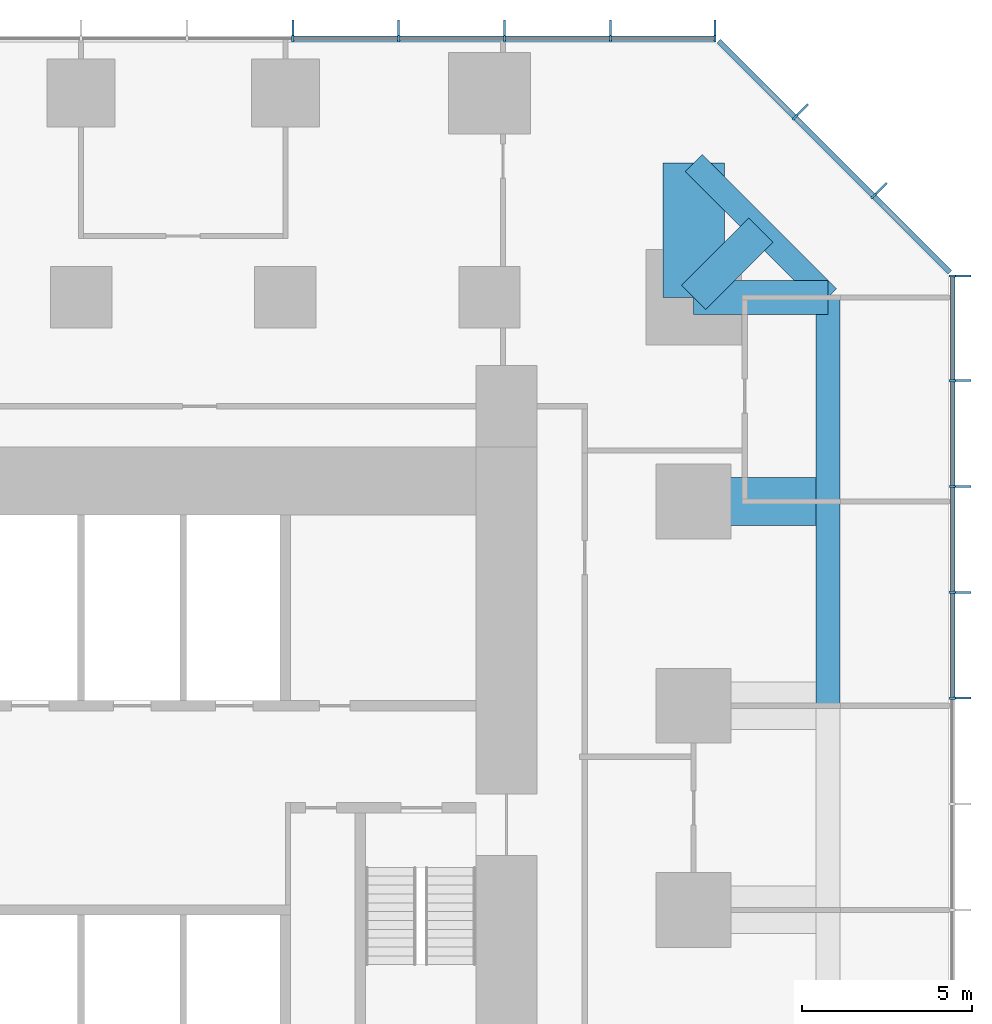
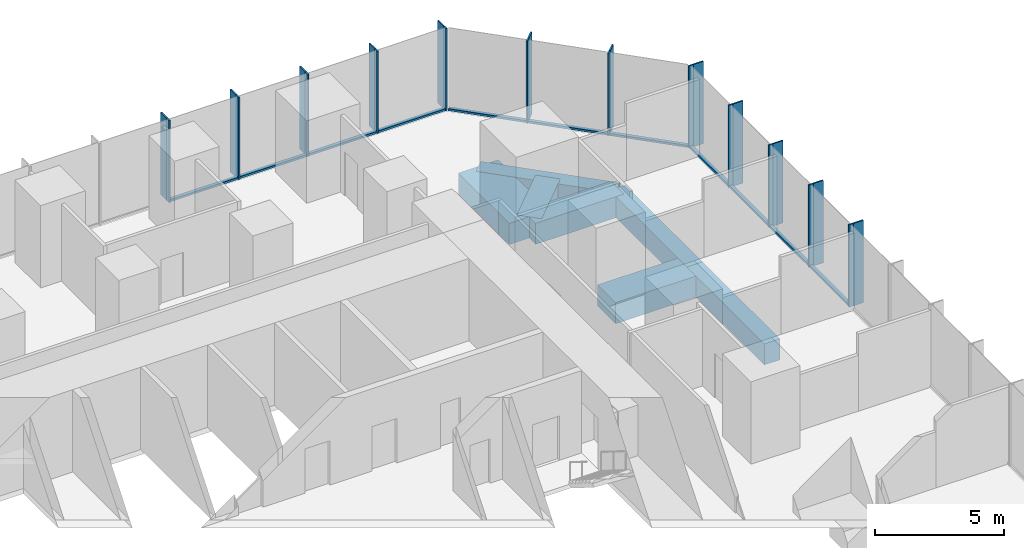
# One storey, part 6 of 12: 35 members, 7 beams, 3 elements without a shape of their own.
"""IFC4 building model written with IfcOpenShell, lengths in metres."""

from ifc_helpers import new_model, si_unit, direction, frame, origin, origin_2d, place, context, subcontext, project, spatial, rectangle, extrude, material, layer, layer_set, material_profile, profile_set, type_object, element, aggregate, save


model = new_model("IFC4")

# Units and contexts
model_context = context("Model", 3, precision=1e-05, world=origin(), true_north=direction((0.0, 1.0)))
body_context = subcontext(model_context, "Body", "Model", "MODEL_VIEW")
ifc_project = project(units=[si_unit("LENGTHUNIT", "METRE"), si_unit("AREAUNIT", "SQUARE_METRE"), si_unit("VOLUMEUNIT", "CUBIC_METRE"), si_unit("PLANEANGLEUNIT", "RADIAN"), si_unit("MASSUNIT", "GRAM", prefix="KILO")], contexts=[model_context])

# Site, building, storey
site_placement = place(None, origin())
site = spatial("IfcSite", under=ifc_project, at=site_placement, CompositionType="ELEMENT")
building_placement = place(site_placement, origin())
building = spatial("IfcBuilding", under=site, at=building_placement, Name="Highveld Stack Headquarters", CompositionType="ELEMENT")
storey_placement = place(building_placement, frame((0.0, 0.0, 45.5)))
storey = spatial("IfcBuildingStorey", under=building, at=storey_placement, Name="L10", CompositionType="ELEMENT", Elevation=45.5)

# Beams
ifc_material_1 = material(Name="Concrete C60/75", Category="concrete")
ifc_material_profile_1 = material_profile(ifc_material_1, rectangle(XDim=1.0, YDim=1.0, at=origin_2d()), Name="RC 1000x1000")
ifc_profile_set_1 = profile_set([ifc_material_profile_1], Name="Concrete C60/75")
beam_type_1 = type_object("IfcBeamType", Name="CANTILEVER RIB RC 1000x1000", PredefinedType="USERDEFINED", material=ifc_profile_set_1)
beam_1_placement = place(storey_placement, frame((24.0, 18.0, -0.75), z_axis=(1.0, 0.0, 0.0), x_axis=(0.0, 1.0, 0.0)))
element("IfcBeam", 1, at=beam_1_placement, inside=storey, type_object=beam_type_1, Name="Cantilever rib 10/H L10", ObjectType="CANTILEVER RIB", PredefinedType="USERDEFINED", context=body_context, shape_type="SweptSolid", body=[
    extrude(rectangle(XDim=1.0, YDim=1.0, at=origin_2d()), origin(), (0.0, 0.0, 1.0), 3.949951171875),
])
beam_2_placement = place(storey_placement, frame((24.0, 18.0, -0.75), z_axis=(0.707106781187, 0.707106781187, 0.0), x_axis=(-0.707106781187, 0.707106781187, 0.0)))
element("IfcBeam", 2, at=beam_2_placement, inside=storey, type_object=beam_type_1, Name="Cantilever rib 10/H L10", ObjectType="CANTILEVER RIB", PredefinedType="USERDEFINED", context=body_context, shape_type="SweptSolid", body=[
    extrude(rectangle(XDim=1.0, YDim=1.0, at=origin_2d()), origin(), (0.0, 0.0, 1.0), 2.793212890625),
])
ifc_material_2 = material(Name="Concrete C60/75", Category="concrete")
ifc_material_profile_2 = material_profile(ifc_material_2, rectangle(XDim=1.39990234375, YDim=1.0, at=origin_2d()), Name="RC 1400x1000")
ifc_profile_set_2 = profile_set([ifc_material_profile_2], Name="Concrete C60/75")
beam_type_2 = type_object("IfcBeamType", Name="CANTILEVER RIB RC 1400x1000", PredefinedType="USERDEFINED", material=ifc_profile_set_2)
beam_3_placement = place(storey_placement, frame((24.0, 12.0, -0.75), z_axis=(1.0, 0.0, 0.0), x_axis=(0.0, 1.0, 0.0)))
element("IfcBeam", 3, at=beam_3_placement, inside=storey, type_object=beam_type_2, Name="Cantilever rib 10/G L10", ObjectType="CANTILEVER RIB", PredefinedType="USERDEFINED", context=body_context, shape_type="SweptSolid", body=[
    extrude(rectangle(XDim=1.39990234375, YDim=1.0, at=origin_2d()), origin(), (0.0, 0.0, 1.0), 3.949951171875),
])
ifc_material_3 = material(Name="Concrete C60/75", Category="concrete")
ifc_material_profile_3 = material_profile(ifc_material_3, rectangle(XDim=1.800048828125, YDim=1.0, at=origin_2d()), Name="RC 1800x1000")
ifc_profile_set_3 = profile_set([ifc_material_profile_3], Name="Concrete C60/75")
beam_type_3 = type_object("IfcBeamType", Name="CANTILEVER RIB RC 1800x1000", PredefinedType="USERDEFINED", material=ifc_profile_set_3)
beam_4_placement = place(storey_placement, frame((24.0, 18.0, -0.75), z_axis=(0.0, 1.0, 0.0), x_axis=(-1.0, 0.0, 0.0)))
element("IfcBeam", 4, at=beam_4_placement, inside=storey, type_object=beam_type_3, Name="Cantilever rib 10/H L10", ObjectType="CANTILEVER RIB", PredefinedType="USERDEFINED", context=body_context, shape_type="SweptSolid", body=[
    extrude(rectangle(XDim=1.800048828125, YDim=1.0, at=origin_2d()), origin(), (0.0, 0.0, 1.0), 3.949951171875),
])

# Curtain wall, members
ifc_material_4 = material(Name="Aluminium bronze anodised", Category="aluminium")
ifc_layer_1 = layer(ifc_material_4, 0.199951171875)
ifc_layer_set_1 = layer_set([ifc_layer_1], Name="Aluminium bronze anodised")
curtain_wall_type_1 = type_object("IfcCurtainWallType", Name="CW1 TOWER UNITISED CURTAIN WALL", PredefinedType="NOTDEFINED", material=ifc_layer_set_1)
curtain_wall_1_placement = place(storey_placement, origin())
curtain_wall_1 = element("IfcCurtainWall", 5, at=curtain_wall_1_placement, inside=storey, type_object=curtain_wall_type_1, Name="Curtain wall CW1 L10 E", PredefinedType="NOTDEFINED")
ifc_material_5 = material(Name="Aluminium bronze anodised", Category="aluminium")
ifc_material_profile_4 = material_profile(ifc_material_5, rectangle(XDim=0.449951171875, YDim=0.06005859375, at=origin_2d()), Name="FIN 450x60")
ifc_profile_set_4 = profile_set([ifc_material_profile_4], Name="Aluminium bronze anodised")
member_type_1 = type_object("IfcMemberType", Name="CW1 BRONZE FIN 450x60", PredefinedType="USERDEFINED", material=ifc_profile_set_4)
member_1_placement = place(storey_placement, frame((31.925048828125, 6.220947265625, 0.0), z_axis=(0.0, 0.0, 1.0), x_axis=(-1.0, 0.0, 0.0)))
member_1 = element("IfcMember", 6, at=member_1_placement, type_object=member_type_1, Name="CW1 fin L10 9", ObjectType="FIN", PredefinedType="USERDEFINED", context=body_context, shape_type="SweptSolid", body=[
    extrude(rectangle(XDim=0.449951171875, YDim=0.06005859375, at=origin_2d()), origin(), (0.0, 0.0, 1.0), 3.89990234375),
])
member_2_placement = place(storey_placement, frame((31.925048828125, 9.331298828125, 0.0), z_axis=(0.0, 0.0, 1.0), x_axis=(-1.0, 0.0, 0.0)))
member_2 = element("IfcMember", 7, at=member_2_placement, type_object=member_type_1, Name="CW1 fin L10 10", ObjectType="FIN", PredefinedType="USERDEFINED", context=body_context, shape_type="SweptSolid", body=[
    extrude(rectangle(XDim=0.449951171875, YDim=0.06005859375, at=origin_2d()), origin(), (0.0, 0.0, 1.0), 3.89990234375),
])
member_3_placement = place(storey_placement, frame((31.925048828125, 12.44189453125, 0.0), z_axis=(0.0, 0.0, 1.0), x_axis=(-1.0, 0.0, 0.0)))
member_3 = element("IfcMember", 8, at=member_3_placement, type_object=member_type_1, Name="CW1 fin L10 11", ObjectType="FIN", PredefinedType="USERDEFINED", context=body_context, shape_type="SweptSolid", body=[
    extrude(rectangle(XDim=0.449951171875, YDim=0.06005859375, at=origin_2d()), origin(), (0.0, 0.0, 1.0), 3.89990234375),
])
member_4_placement = place(storey_placement, frame((31.925048828125, 15.55224609375, 0.0), z_axis=(0.0, 0.0, 1.0), x_axis=(-1.0, 0.0, 0.0)))
member_4 = element("IfcMember", 9, at=member_4_placement, type_object=member_type_1, Name="CW1 fin L10 12", ObjectType="FIN", PredefinedType="USERDEFINED", context=body_context, shape_type="SweptSolid", body=[
    extrude(rectangle(XDim=0.449951171875, YDim=0.06005859375, at=origin_2d()), origin(), (0.0, 0.0, 1.0), 3.89990234375),
])
member_5_placement = place(storey_placement, frame((31.925048828125, 18.630126953125, 0.0), z_axis=(0.0, 0.0, 1.0), x_axis=(-1.0, 0.0, 0.0)))
member_5 = element("IfcMember", 10, at=member_5_placement, type_object=member_type_1, Name="CW1 fin L10 13", ObjectType="FIN", PredefinedType="USERDEFINED", context=body_context, shape_type="SweptSolid", body=[
    extrude(rectangle(XDim=0.449951171875, YDim=0.06005859375, at=origin_2d()), origin(), (0.0, 0.0, 1.0), 3.89990234375),
])

curtain_wall_2_placement = place(storey_placement, origin())
curtain_wall_2 = element("IfcCurtainWall", 11, at=curtain_wall_2_placement, inside=storey, type_object=curtain_wall_type_1, Name="Curtain wall CW1 L10 N", PredefinedType="NOTDEFINED")
member_6_placement = place(storey_placement, frame((24.630126953125, 25.925048828125, 0.0), z_axis=(0.0, 0.0, 1.0), x_axis=(0.0, -1.0, 0.0)))
member_6 = element("IfcMember", 12, at=member_6_placement, type_object=member_type_1, Name="CW1 fin L10 1", ObjectType="FIN", PredefinedType="USERDEFINED", context=body_context, shape_type="SweptSolid", body=[
    extrude(rectangle(XDim=0.449951171875, YDim=0.06005859375, at=origin_2d()), origin(), (0.0, 0.0, 1.0), 3.89990234375),
])
member_7_placement = place(storey_placement, frame((21.55224609375, 25.925048828125, 0.0), z_axis=(0.0, 0.0, 1.0), x_axis=(0.0, -1.0, 0.0)))
member_7 = element("IfcMember", 13, at=member_7_placement, type_object=member_type_1, Name="CW1 fin L10 2", ObjectType="FIN", PredefinedType="USERDEFINED", context=body_context, shape_type="SweptSolid", body=[
    extrude(rectangle(XDim=0.449951171875, YDim=0.06005859375, at=origin_2d()), origin(), (0.0, 0.0, 1.0), 3.89990234375),
])
member_8_placement = place(storey_placement, frame((18.44189453125, 25.925048828125, 0.0), z_axis=(0.0, 0.0, 1.0), x_axis=(0.0, -1.0, 0.0)))
member_8 = element("IfcMember", 14, at=member_8_placement, type_object=member_type_1, Name="CW1 fin L10 3", ObjectType="FIN", PredefinedType="USERDEFINED", context=body_context, shape_type="SweptSolid", body=[
    extrude(rectangle(XDim=0.449951171875, YDim=0.06005859375, at=origin_2d()), origin(), (0.0, 0.0, 1.0), 3.89990234375),
])
member_9_placement = place(storey_placement, frame((15.331298828125, 25.925048828125, 0.0), z_axis=(0.0, 0.0, 1.0), x_axis=(0.0, -1.0, 0.0)))
member_9 = element("IfcMember", 15, at=member_9_placement, type_object=member_type_1, Name="CW1 fin L10 4", ObjectType="FIN", PredefinedType="USERDEFINED", context=body_context, shape_type="SweptSolid", body=[
    extrude(rectangle(XDim=0.449951171875, YDim=0.06005859375, at=origin_2d()), origin(), (0.0, 0.0, 1.0), 3.89990234375),
])
member_10_placement = place(storey_placement, frame((12.220947265625, 25.925048828125, 0.0), z_axis=(0.0, 0.0, 1.0), x_axis=(0.0, -1.0, 0.0)))
member_10 = element("IfcMember", 16, at=member_10_placement, type_object=member_type_1, Name="CW1 fin L10 5", ObjectType="FIN", PredefinedType="USERDEFINED", context=body_context, shape_type="SweptSolid", body=[
    extrude(rectangle(XDim=0.449951171875, YDim=0.06005859375, at=origin_2d()), origin(), (0.0, 0.0, 1.0), 3.89990234375),
])

# Member
ifc_material_6 = material(Name="Aluminium bronze anodised", Category="aluminium")
ifc_material_profile_5 = material_profile(ifc_material_6, rectangle(XDim=0.199951171875, YDim=0.06494140625, at=origin_2d()), Name="CW1 MULLION 65x200")
ifc_profile_set_5 = profile_set([ifc_material_profile_5], Name="Aluminium bronze anodised")
member_type_2 = type_object("IfcMemberType", Name="CW1 MULLION 65x200", PredefinedType="MULLION", material=ifc_profile_set_5)
member_11_placement = place(storey_placement, frame((31.60009765625, 6.220947265625, 0.0), z_axis=(0.0, 0.0, 1.0), x_axis=(-1.0, 0.0, 0.0)))
member_11 = element("IfcMember", 17, at=member_11_placement, type_object=member_type_2, Name="CW1 mullion L10 9", PredefinedType="MULLION", context=body_context, shape_type="SweptSolid", body=[
    extrude(rectangle(XDim=0.199951171875, YDim=0.06494140625, at=origin_2d()), origin(), (0.0, 0.0, 1.0), 3.89990234375),
])

member_12_placement = place(storey_placement, frame((31.60009765625, 9.331298828125, 0.0), z_axis=(0.0, 0.0, 1.0), x_axis=(-1.0, 0.0, 0.0)))
member_12 = element("IfcMember", 18, at=member_12_placement, type_object=member_type_2, Name="CW1 mullion L10 10", PredefinedType="MULLION", context=body_context, shape_type="SweptSolid", body=[
    extrude(rectangle(XDim=0.199951171875, YDim=0.06494140625, at=origin_2d()), origin(), (0.0, 0.0, 1.0), 3.89990234375),
])

member_13_placement = place(storey_placement, frame((31.60009765625, 12.44189453125, 0.0), z_axis=(0.0, 0.0, 1.0), x_axis=(-1.0, 0.0, 0.0)))
member_13 = element("IfcMember", 19, at=member_13_placement, type_object=member_type_2, Name="CW1 mullion L10 11", PredefinedType="MULLION", context=body_context, shape_type="SweptSolid", body=[
    extrude(rectangle(XDim=0.199951171875, YDim=0.06494140625, at=origin_2d()), origin(), (0.0, 0.0, 1.0), 3.89990234375),
])

member_14_placement = place(storey_placement, frame((31.60009765625, 15.55224609375, 0.0), z_axis=(0.0, 0.0, 1.0), x_axis=(-1.0, 0.0, 0.0)))
member_14 = element("IfcMember", 20, at=member_14_placement, type_object=member_type_2, Name="CW1 mullion L10 12", PredefinedType="MULLION", context=body_context, shape_type="SweptSolid", body=[
    extrude(rectangle(XDim=0.199951171875, YDim=0.06494140625, at=origin_2d()), origin(), (0.0, 0.0, 1.0), 3.89990234375),
])

member_15_placement = place(storey_placement, frame((31.60009765625, 18.630126953125, 0.0), z_axis=(0.0, 0.0, 1.0), x_axis=(-1.0, 0.0, 0.0)))
member_15 = element("IfcMember", 21, at=member_15_placement, type_object=member_type_2, Name="CW1 mullion L10 13", PredefinedType="MULLION", context=body_context, shape_type="SweptSolid", body=[
    extrude(rectangle(XDim=0.199951171875, YDim=0.06494140625, at=origin_2d()), origin(), (0.0, 0.0, 1.0), 3.89990234375),
])

member_16_placement = place(storey_placement, frame((24.630126953125, 25.60009765625, 0.0), z_axis=(0.0, 0.0, 1.0), x_axis=(0.0, -1.0, 0.0)))
member_16 = element("IfcMember", 22, at=member_16_placement, type_object=member_type_2, Name="CW1 mullion L10 1", PredefinedType="MULLION", context=body_context, shape_type="SweptSolid", body=[
    extrude(rectangle(XDim=0.199951171875, YDim=0.06494140625, at=origin_2d()), origin(), (0.0, 0.0, 1.0), 3.89990234375),
])

member_17_placement = place(storey_placement, frame((21.55224609375, 25.60009765625, 0.0), z_axis=(0.0, 0.0, 1.0), x_axis=(0.0, -1.0, 0.0)))
member_17 = element("IfcMember", 23, at=member_17_placement, type_object=member_type_2, Name="CW1 mullion L10 2", PredefinedType="MULLION", context=body_context, shape_type="SweptSolid", body=[
    extrude(rectangle(XDim=0.199951171875, YDim=0.06494140625, at=origin_2d()), origin(), (0.0, 0.0, 1.0), 3.89990234375),
])

member_18_placement = place(storey_placement, frame((18.44189453125, 25.60009765625, 0.0), z_axis=(0.0, 0.0, 1.0), x_axis=(0.0, -1.0, 0.0)))
member_18 = element("IfcMember", 24, at=member_18_placement, type_object=member_type_2, Name="CW1 mullion L10 3", PredefinedType="MULLION", context=body_context, shape_type="SweptSolid", body=[
    extrude(rectangle(XDim=0.199951171875, YDim=0.06494140625, at=origin_2d()), origin(), (0.0, 0.0, 1.0), 3.89990234375),
])

member_19_placement = place(storey_placement, frame((15.331298828125, 25.60009765625, 0.0), z_axis=(0.0, 0.0, 1.0), x_axis=(0.0, -1.0, 0.0)))
member_19 = element("IfcMember", 25, at=member_19_placement, type_object=member_type_2, Name="CW1 mullion L10 4", PredefinedType="MULLION", context=body_context, shape_type="SweptSolid", body=[
    extrude(rectangle(XDim=0.199951171875, YDim=0.06494140625, at=origin_2d()), origin(), (0.0, 0.0, 1.0), 3.89990234375),
])

member_20_placement = place(storey_placement, frame((12.220947265625, 25.60009765625, 0.0), z_axis=(0.0, 0.0, 1.0), x_axis=(0.0, -1.0, 0.0)))
member_20 = element("IfcMember", 26, at=member_20_placement, type_object=member_type_2, Name="CW1 mullion L10 5", PredefinedType="MULLION", context=body_context, shape_type="SweptSolid", body=[
    extrude(rectangle(XDim=0.199951171875, YDim=0.06494140625, at=origin_2d()), origin(), (0.0, 0.0, 1.0), 3.89990234375),
])

ifc_material_7 = material(Name="Aluminium bronze anodised", Category="aluminium")
ifc_material_profile_6 = material_profile(ifc_material_7, rectangle(XDim=0.14990234375, YDim=0.10009765625, at=origin_2d()), Name="CW1 TRANSOM 150x100")
ifc_profile_set_6 = profile_set([ifc_material_profile_6], Name="Aluminium bronze anodised")
member_type_3 = type_object("IfcMemberType", Name="CW1 STACK TRANSOM 150x100", PredefinedType="USERDEFINED", material=ifc_profile_set_6)
member_21_placement = place(storey_placement, frame((31.60009765625, 6.25341796875, 0.050048828125), z_axis=(0.0, 1.0, 0.0), x_axis=(-1.0, 0.0, 0.0)))
member_21 = element("IfcMember", 27, at=member_21_placement, type_object=member_type_3, Name="CW1 transom L10 9.1", ObjectType="TRANSOM", PredefinedType="USERDEFINED", context=body_context, shape_type="SweptSolid", body=[
    extrude(rectangle(XDim=0.14990234375, YDim=0.10009765625, at=origin_2d()), origin(), (0.0, 0.0, 1.0), 3.04541015625),
])

member_22_placement = place(storey_placement, frame((31.60009765625, 9.36376953125, 0.050048828125), z_axis=(0.0, 1.0, 0.0), x_axis=(-1.0, 0.0, 0.0)))
member_22 = element("IfcMember", 28, at=member_22_placement, type_object=member_type_3, Name="CW1 transom L10 10.1", ObjectType="TRANSOM", PredefinedType="USERDEFINED", context=body_context, shape_type="SweptSolid", body=[
    extrude(rectangle(XDim=0.14990234375, YDim=0.10009765625, at=origin_2d()), origin(), (0.0, 0.0, 1.0), 3.04541015625),
])

member_23_placement = place(storey_placement, frame((31.60009765625, 12.474365234375, 0.050048828125), z_axis=(0.0, 1.0, 0.0), x_axis=(-1.0, 0.0, 0.0)))
member_23 = element("IfcMember", 29, at=member_23_placement, type_object=member_type_3, Name="CW1 transom L10 11.1", ObjectType="TRANSOM", PredefinedType="USERDEFINED", context=body_context, shape_type="SweptSolid", body=[
    extrude(rectangle(XDim=0.14990234375, YDim=0.10009765625, at=origin_2d()), origin(), (0.0, 0.0, 1.0), 3.04541015625),
])

member_24_placement = place(storey_placement, frame((31.60009765625, 15.584716796875, 0.050048828125), z_axis=(0.0, 1.0, 0.0), x_axis=(-1.0, 0.0, 0.0)))
member_24 = element("IfcMember", 30, at=member_24_placement, type_object=member_type_3, Name="CW1 transom L10 12.1", ObjectType="TRANSOM", PredefinedType="USERDEFINED", context=body_context, shape_type="SweptSolid", body=[
    extrude(rectangle(XDim=0.14990234375, YDim=0.10009765625, at=origin_2d()), origin(), (0.0, 0.0, 1.0), 3.012939453125),
])

aggregate(curtain_wall_1, [member_11, member_1, member_12, member_2, member_13, member_3, member_14, member_4, member_15, member_5, member_21, member_22, member_23, member_24])

member_25_placement = place(storey_placement, frame((24.59765625, 25.60009765625, 0.050048828125), z_axis=(-1.0, 0.0, 0.0), x_axis=(0.0, -1.0, 0.0)))
member_25 = element("IfcMember", 31, at=member_25_placement, type_object=member_type_3, Name="CW1 transom L10 1.1", ObjectType="TRANSOM", PredefinedType="USERDEFINED", context=body_context, shape_type="SweptSolid", body=[
    extrude(rectangle(XDim=0.14990234375, YDim=0.10009765625, at=origin_2d()), origin(), (0.0, 0.0, 1.0), 3.012939453125),
])

member_26_placement = place(storey_placement, frame((21.519775390625, 25.60009765625, 0.050048828125), z_axis=(-1.0, 0.0, 0.0), x_axis=(0.0, -1.0, 0.0)))
member_26 = element("IfcMember", 32, at=member_26_placement, type_object=member_type_3, Name="CW1 transom L10 2.1", ObjectType="TRANSOM", PredefinedType="USERDEFINED", context=body_context, shape_type="SweptSolid", body=[
    extrude(rectangle(XDim=0.14990234375, YDim=0.10009765625, at=origin_2d()), origin(), (0.0, 0.0, 1.0), 3.04541015625),
])

member_27_placement = place(storey_placement, frame((18.4091796875, 25.60009765625, 0.050048828125), z_axis=(-1.0, 0.0, 0.0), x_axis=(0.0, -1.0, 0.0)))
member_27 = element("IfcMember", 33, at=member_27_placement, type_object=member_type_3, Name="CW1 transom L10 3.1", ObjectType="TRANSOM", PredefinedType="USERDEFINED", context=body_context, shape_type="SweptSolid", body=[
    extrude(rectangle(XDim=0.14990234375, YDim=0.10009765625, at=origin_2d()), origin(), (0.0, 0.0, 1.0), 3.045166015625),
])

member_28_placement = place(storey_placement, frame((15.298828125, 25.60009765625, 0.050048828125), z_axis=(-1.0, 0.0, 0.0), x_axis=(0.0, -1.0, 0.0)))
member_28 = element("IfcMember", 34, at=member_28_placement, type_object=member_type_3, Name="CW1 transom L10 4.1", ObjectType="TRANSOM", PredefinedType="USERDEFINED", context=body_context, shape_type="SweptSolid", body=[
    extrude(rectangle(XDim=0.14990234375, YDim=0.10009765625, at=origin_2d()), origin(), (0.0, 0.0, 1.0), 3.04541015625),
])

aggregate(curtain_wall_2, [member_16, member_6, member_17, member_7, member_18, member_8, member_19, member_9, member_20, member_10, member_25, member_26, member_27, member_28])

# Curtain wall, members
ifc_material_8 = material(Name="Aluminium bronze anodised", Category="aluminium")
ifc_layer_2 = layer(ifc_material_8, 0.199951171875)
ifc_layer_set_2 = layer_set([ifc_layer_2], Name="Aluminium bronze anodised")
curtain_wall_type_2 = type_object("IfcCurtainWallType", Name="CW2 TOWER CHAMFER UNITISED CURTAIN WALL", PredefinedType="NOTDEFINED", material=ifc_layer_set_2)
curtain_wall_3_placement = place(storey_placement, origin())
curtain_wall_3 = element("IfcCurtainWall", 35, at=curtain_wall_3_placement, inside=storey, type_object=curtain_wall_type_2, Name="Curtain wall CW2 L10 NE", PredefinedType="NOTDEFINED")
ifc_material_9 = material(Name="Aluminium bronze anodised", Category="aluminium")
ifc_material_profile_7 = material_profile(ifc_material_9, rectangle(XDim=0.449951171875, YDim=0.06005859375, at=origin_2d()), Name="FIN 450x60")
ifc_profile_set_7 = profile_set([ifc_material_profile_7], Name="Aluminium bronze anodised")
member_type_4 = type_object("IfcMemberType", Name="CW2 BRONZE FIN 450x60", PredefinedType="USERDEFINED", material=ifc_profile_set_7)
member_29_placement = place(storey_placement, frame((29.517333984375, 21.204833984375, 0.0), z_axis=(0.0, 0.0, 1.0), x_axis=(-0.707106781187, -0.707106781187, 0.0)))
member_29 = element("IfcMember", 36, at=member_29_placement, type_object=member_type_4, Name="CW2 fin L10 1", ObjectType="FIN", PredefinedType="USERDEFINED", context=body_context, shape_type="SweptSolid", body=[
    extrude(rectangle(XDim=0.449951171875, YDim=0.06005859375, at=origin_2d()), origin(), (0.0, 0.0, 1.0), 3.89990234375),
])
member_30_placement = place(storey_placement, frame((27.204833984375, 23.517333984375, 0.0), z_axis=(0.0, 0.0, 1.0), x_axis=(-0.707106781187, -0.707106781187, 0.0)))
member_30 = element("IfcMember", 37, at=member_30_placement, type_object=member_type_4, Name="CW2 fin L10 2", ObjectType="FIN", PredefinedType="USERDEFINED", context=body_context, shape_type="SweptSolid", body=[
    extrude(rectangle(XDim=0.449951171875, YDim=0.06005859375, at=origin_2d()), origin(), (0.0, 0.0, 1.0), 3.89990234375),
])
ifc_material_10 = material(Name="Aluminium bronze anodised", Category="aluminium")
ifc_material_profile_8 = material_profile(ifc_material_10, rectangle(XDim=0.199951171875, YDim=0.06494140625, at=origin_2d()), Name="CW2 MULLION 65x200")
ifc_profile_set_8 = profile_set([ifc_material_profile_8], Name="Aluminium bronze anodised")
member_type_5 = type_object("IfcMemberType", Name="CW2 MULLION 65x200", PredefinedType="MULLION", material=ifc_profile_set_8)
member_31_placement = place(storey_placement, frame((29.28759765625, 20.97509765625, 0.0), z_axis=(0.0, 0.0, 1.0), x_axis=(-0.707106781187, -0.707106781187, 0.0)))
member_31 = element("IfcMember", 38, at=member_31_placement, type_object=member_type_5, Name="CW2 mullion L10 1", PredefinedType="MULLION", context=body_context, shape_type="SweptSolid", body=[
    extrude(rectangle(XDim=0.199951171875, YDim=0.06494140625, at=origin_2d()), origin(), (0.0, 0.0, 1.0), 3.89990234375),
])
member_32_placement = place(storey_placement, frame((26.97509765625, 23.28759765625, 0.0), z_axis=(0.0, 0.0, 1.0), x_axis=(-0.707106781187, -0.707106781187, 0.0)))
member_32 = element("IfcMember", 39, at=member_32_placement, type_object=member_type_5, Name="CW2 mullion L10 2", PredefinedType="MULLION", context=body_context, shape_type="SweptSolid", body=[
    extrude(rectangle(XDim=0.199951171875, YDim=0.06494140625, at=origin_2d()), origin(), (0.0, 0.0, 1.0), 3.89990234375),
])
ifc_material_11 = material(Name="Aluminium bronze anodised", Category="aluminium")
ifc_material_profile_9 = material_profile(ifc_material_11, rectangle(XDim=0.14990234375, YDim=0.10009765625, at=origin_2d()), Name="CW2 TRANSOM 150x100")
ifc_profile_set_9 = profile_set([ifc_material_profile_9], Name="Aluminium bronze anodised")
member_type_6 = type_object("IfcMemberType", Name="CW2 STACK TRANSOM 150x100", PredefinedType="USERDEFINED", material=ifc_profile_set_9)
member_33_placement = place(storey_placement, frame((31.529296875, 18.7333984375, 0.050048828125), z_axis=(-0.707106781187, 0.707106781187, 0.0), x_axis=(-0.707106781187, -0.707106781187, 0.0)))
member_33 = element("IfcMember", 40, at=member_33_placement, type_object=member_type_6, Name="CW2 transom L10 1.1", ObjectType="TRANSOM", PredefinedType="USERDEFINED", context=body_context, shape_type="SweptSolid", body=[
    extrude(rectangle(XDim=0.14990234375, YDim=0.10009765625, at=origin_2d()), origin(), (0.0, 0.0, 1.0), 3.1376953125),
])
member_34_placement = place(storey_placement, frame((29.2646484375, 20.998046875, 0.050048828125), z_axis=(-0.707106781187, 0.707106781187, 0.0), x_axis=(-0.707106781187, -0.707106781187, 0.0)))
member_34 = element("IfcMember", 41, at=member_34_placement, type_object=member_type_6, Name="CW2 transom L10 2.1", ObjectType="TRANSOM", PredefinedType="USERDEFINED", context=body_context, shape_type="SweptSolid", body=[
    extrude(rectangle(XDim=0.14990234375, YDim=0.10009765625, at=origin_2d()), origin(), (0.0, 0.0, 1.0), 3.20556640625),
])
member_35_placement = place(storey_placement, frame((26.9521484375, 23.310546875, 0.050048828125), z_axis=(-0.707106781187, 0.707106781187, 0.0), x_axis=(-0.707106781187, -0.707106781187, 0.0)))
member_35 = element("IfcMember", 42, at=member_35_placement, type_object=member_type_6, Name="CW2 transom L10 3.1", ObjectType="TRANSOM", PredefinedType="USERDEFINED", context=body_context, shape_type="SweptSolid", body=[
    extrude(rectangle(XDim=0.14990234375, YDim=0.10009765625, at=origin_2d()), origin(), (0.0, 0.0, 1.0), 3.1376953125),
])
aggregate(curtain_wall_3, [member_31, member_29, member_32, member_30, member_33, member_34, member_35])

# Beams
ifc_material_12 = material(Name="Concrete C60/75", Category="concrete")
ifc_material_profile_10 = material_profile(ifc_material_12, rectangle(XDim=0.699951171875, YDim=1.0, at=origin_2d()), Name="RC 700x1000")
ifc_profile_set_10 = profile_set([ifc_material_profile_10], Name="Concrete C60/75")
beam_type_4 = type_object("IfcBeamType", Name="RIB TIP BEAM RC 700x1000", PredefinedType="SPANDREL", material=ifc_profile_set_10)
for number, where, z_axis, x_axis, name in (
    (43, (27.949951171875, 6.0, -0.75), (0.0, 1.0, 0.0), (-1.0, 0.0, 0.0), "Rib tip beam 10/F to 10/G L10"),
    (44, (27.949951171875, 12.0, -0.75), (0.0, 1.0, 0.0), (-1.0, 0.0, 0.0), "Rib tip beam 10/G to 10/H L10"),
):
    element("IfcBeam", number, at=place(storey_placement, frame(where, z_axis=z_axis, x_axis=x_axis)), inside=storey, type_object=beam_type_4, Name=name, PredefinedType="SPANDREL", context=body_context, shape_type="SweptSolid", body=[
        extrude(rectangle(XDim=0.699951171875, YDim=1.0, at=origin_2d()), origin(), (0.0, 0.0, 1.0), 6.0),
    ])
beam_5_placement = place(storey_placement, frame((27.949951171875, 18.0, -0.75), z_axis=(-0.707106781187, 0.707106781187, 0.0), x_axis=(-0.707106781187, -0.707106781187, 0.0)))
element("IfcBeam", 45, at=beam_5_placement, inside=storey, type_object=beam_type_4, Name="Rib tip beam 10/H corner L10", PredefinedType="SPANDREL", context=body_context, shape_type="SweptSolid", body=[
    extrude(rectangle(XDim=0.699951171875, YDim=1.0, at=origin_2d()), origin(), (0.0, 0.0, 1.0), 5.586181640625),
])

save(model, "model.ifc")
